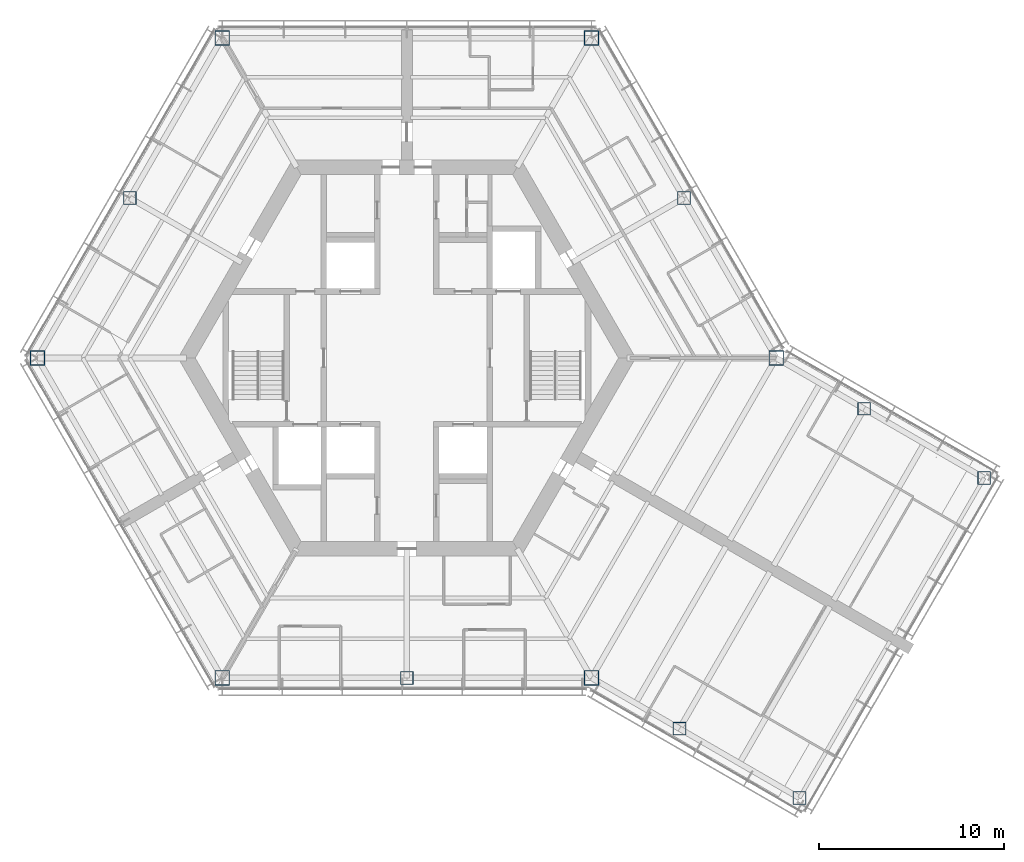
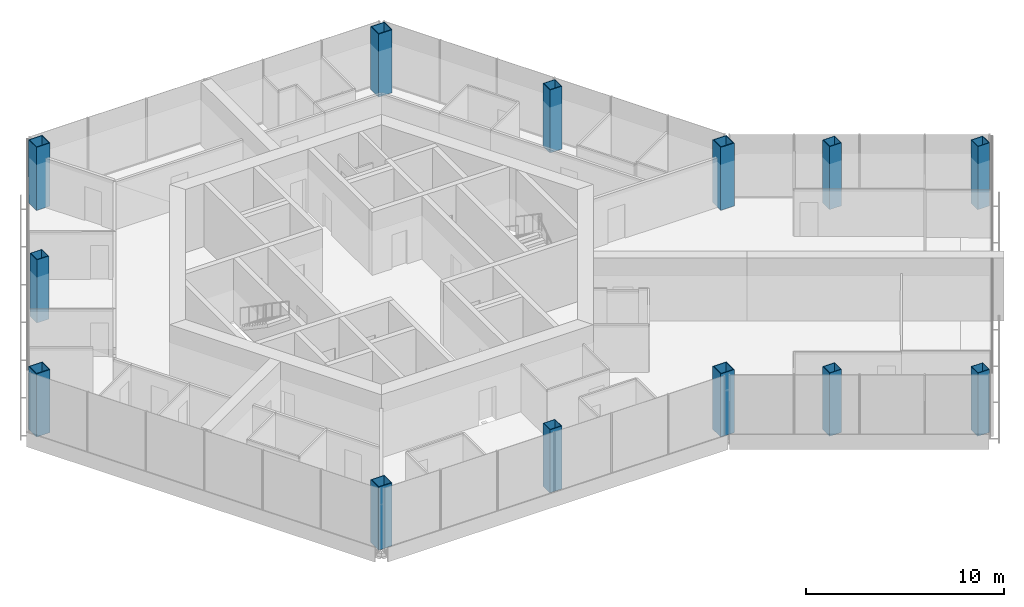
# One storey, part 1 of 17: 13 columns.
"""IFC4 building model written with IfcOpenShell, lengths in metres."""

from ifc_helpers import new_model, si_unit, direction, frame, origin, origin_2d, place, context, subcontext, project, spatial, hollow_rectangle, extrude, material, material_profile, profile_set, type_object, element, save


model = new_model("IFC4")

# Units and contexts
model_context = context("Model", 3, precision=1e-05, world=origin(), true_north=direction((0.0, 1.0)))
body_context = subcontext(model_context, "Body", "Model", "MODEL_VIEW")
ifc_project = project(units=[si_unit("LENGTHUNIT", "METRE"), si_unit("AREAUNIT", "SQUARE_METRE"), si_unit("VOLUMEUNIT", "CUBIC_METRE"), si_unit("PLANEANGLEUNIT", "RADIAN"), si_unit("MASSUNIT", "GRAM", prefix="KILO")], contexts=[model_context])

# Site, building, storey
site_placement = place(None, origin())
site = spatial("IfcSite", under=ifc_project, at=site_placement, CompositionType="ELEMENT")
building_placement = place(site_placement, origin())
building = spatial("IfcBuilding", under=site, at=building_placement, Name="Kasaneha Research Tower", CompositionType="ELEMENT")
storey_placement = place(building_placement, frame((0.0, 0.0, 228.39990234375)))
storey = spatial("IfcBuildingStorey", under=building, at=storey_placement, Name="L57", CompositionType="ELEMENT", Elevation=228.39990234375)

# Columns
ifc_material_1 = material(Name="Steel SN490C", Category="steel")
ifc_material_profile_1 = material_profile(ifc_material_1, hollow_rectangle(XDim=0.800048828125, YDim=0.800048828125, WallThickness=0.0400390625, at=origin_2d()), Name="BOX-800x800x40")
ifc_profile_set_1 = profile_set([ifc_material_profile_1], Name="Steel SN490C")
column_type_1 = type_object("IfcColumnType", Name="C4A column BOX-800x800x40", PredefinedType="COLUMN", material=ifc_profile_set_1)
for number, where, z_axis, x_axis, name in (
    (1, (20.0, 0.0, 0.0), (0.0, 0.0, 1.0), (1.0, 0.0, 0.0), "Column V0 L57"),
    (2, (10.0, 17.320556640625, 0.0), (0.0, 0.0, 1.0), (1.0, 0.0, 0.0), "Column V1 L57"),
    (3, (-10.0, 17.320556640625, 0.0), (0.0, 0.0, 1.0), (1.0, 0.0, 0.0), "Column V2 L57"),
    (4, (-20.0, 0.0, 0.0), (0.0, 0.0, 1.0), (1.0, 0.0, 0.0), "Column V3 L57"),
    (5, (-10.0, -17.320556640625, 0.0), (0.0, 0.0, 1.0), (1.0, 0.0, 0.0), "Column V4 L57"),
    (6, (10.0, -17.320556640625, 0.0), (0.0, 0.0, 1.0), (1.0, 0.0, 0.0), "Column V5 L57"),
):
    element("IfcColumn", number, at=place(storey_placement, frame(where, z_axis=z_axis, x_axis=x_axis)), inside=storey, type_object=column_type_1, Name=name, PredefinedType="COLUMN", context=body_context, shape_type="SweptSolid", body=[
        extrude(hollow_rectangle(XDim=0.800048828125, YDim=0.800048828125, WallThickness=0.0400390625, at=origin_2d()), origin(), (0.0, 0.0, 1.0), 3.900146484375),
    ])
ifc_material_2 = material(Name="Steel SN490C", Category="steel")
ifc_material_profile_2 = material_profile(ifc_material_2, hollow_rectangle(XDim=0.699951171875, YDim=0.699951171875, WallThickness=0.031982421875, at=origin_2d()), Name="BOX-700x700x32")
ifc_profile_set_2 = profile_set([ifc_material_profile_2], Name="Steel SN490C")
column_type_2 = type_object("IfcColumnType", Name="C4B column BOX-700x700x32", PredefinedType="COLUMN", material=ifc_profile_set_2)
for number, where, z_axis, x_axis, name in (
    (7, (15.0, 8.66015625, 0.0), (0.0, 0.0, 1.0), (1.0, 0.0, 0.0), "Column M030 L57"),
    (8, (-15.0, 8.66015625, 0.0), (0.0, 0.0, 1.0), (1.0, 0.0, 0.0), "Column M150 L57"),
    (9, (0.0, -17.320556640625, 0.0), (0.0, 0.0, 1.0), (1.0, 0.0, 0.0), "Column M270 L57"),
    (10, (14.76318359375, -20.070556640625, 0.0), (0.0, 0.0, 1.0), (1.0, 0.0, 0.0), "Column CSP L57"),
    (11, (21.25830078125, -23.820556640625, 0.0), (0.0, 0.0, 1.0), (1.0, 0.0, 0.0), "Column CTP L57"),
    (12, (24.76318359375, -2.75, 0.0), (0.0, 0.0, 1.0), (1.0, 0.0, 0.0), "Column CSN L57"),
    (13, (31.25830078125, -6.5, 0.0), (0.0, 0.0, 1.0), (1.0, 0.0, 0.0), "Column CTN L57"),
):
    element("IfcColumn", number, at=place(storey_placement, frame(where, z_axis=z_axis, x_axis=x_axis)), inside=storey, type_object=column_type_2, Name=name, PredefinedType="COLUMN", context=body_context, shape_type="SweptSolid", body=[
        extrude(hollow_rectangle(XDim=0.699951171875, YDim=0.699951171875, WallThickness=0.031982421875, at=origin_2d()), origin(), (0.0, 0.0, 1.0), 3.900146484375),
    ])

save(model, "model.ifc")
